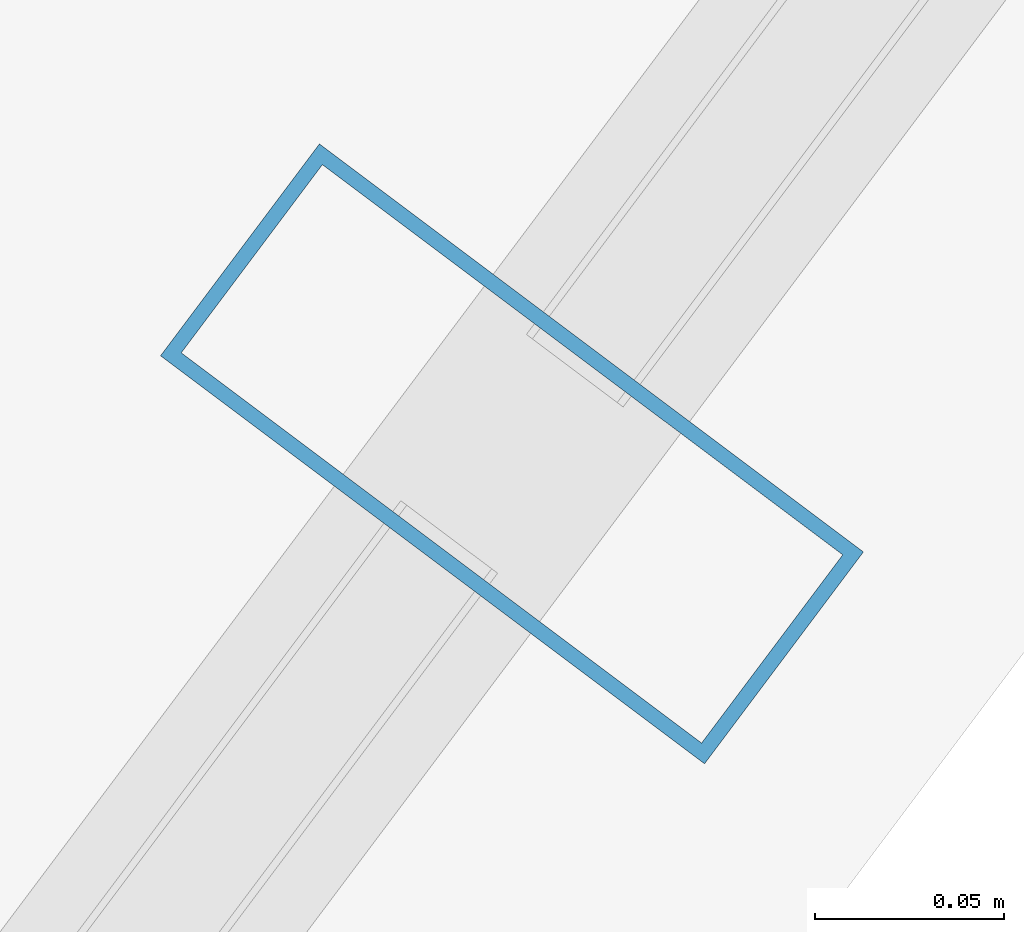
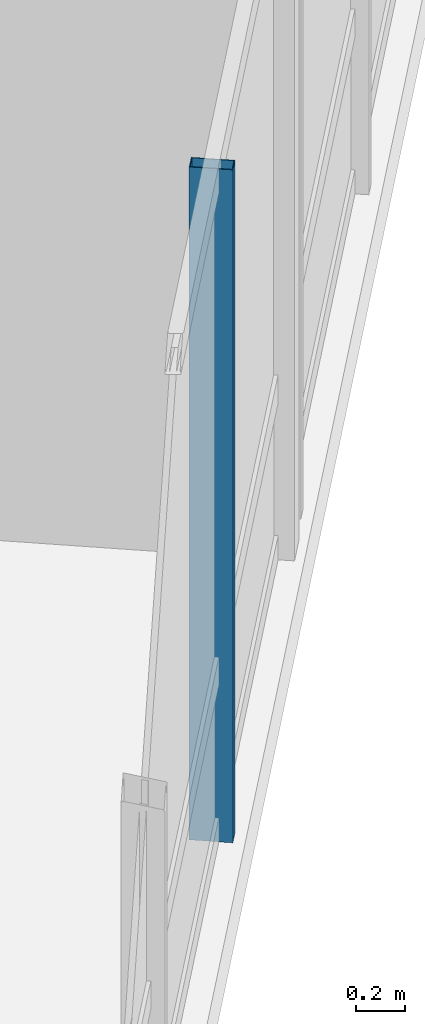
# One storey, part 9 of 21: 1 member, 1 element without a shape of its own.
"""IFC4 building model written with IfcOpenShell, lengths in metres."""

from ifc_helpers import new_model, si_unit, direction, frame, origin, origin_2d, place, context, subcontext, project, spatial, hollow_rectangle, extrude, material, layer, layer_set, material_profile, profile_set, type_object, element, aggregate, save


model = new_model("IFC4")

# Units and contexts
model_context = context("Model", 3, precision=1e-05, world=origin(), true_north=direction((0.0, 1.0)))
body_context = subcontext(model_context, "Body", "Model", "MODEL_VIEW")
ifc_project = project(units=[si_unit("LENGTHUNIT", "METRE"), si_unit("AREAUNIT", "SQUARE_METRE"), si_unit("VOLUMEUNIT", "CUBIC_METRE"), si_unit("PLANEANGLEUNIT", "RADIAN"), si_unit("MASSUNIT", "GRAM", prefix="KILO")], contexts=[model_context])

# Site, building, storey
site_placement = place(None, origin())
site = spatial("IfcSite", under=ifc_project, at=site_placement, CompositionType="ELEMENT")
building_placement = place(site_placement, origin())
building = spatial("IfcBuilding", under=site, at=building_placement, Name="Hatsunagi Terrace Concourse", CompositionType="ELEMENT")
storey_placement = place(building_placement, frame((0.0, 0.0, 246.75)))
storey = spatial("IfcBuildingStorey", under=building, at=storey_placement, Name="L65", CompositionType="ELEMENT", Elevation=246.75)

# Curtain wall, member
ifc_material_1 = material(Name="Anodised Aluminium Alloy 6063-T5", Category="aluminium")
ifc_layer = layer(ifc_material_1, 0.199951171875)
ifc_layer_set = layer_set([ifc_layer], Name="OfficeZone2_CW04")
curtain_wall_type = type_object("IfcCurtainWallType", Name="OfficeZone2_CW04", PredefinedType="NOTDEFINED", material=ifc_layer_set)
curtain_wall_placement = place(storey_placement, origin())
curtain_wall = element("IfcCurtainWall", 1, at=curtain_wall_placement, inside=storey, type_object=curtain_wall_type, Name="Unitised Curtain Wall CW-04 CW-L65-03", PredefinedType="NOTDEFINED")
ifc_material_2 = material(Name="Anodised Aluminium Alloy 6063-T5", Category="aluminium")
ifc_material_profile = material_profile(ifc_material_2, hollow_rectangle(XDim=0.070068359375, YDim=0.179931640625, WallThickness=0.00390625, at=origin_2d()), Name="ALU-MUL-180x70x4")
ifc_profile_set = profile_set([ifc_material_profile], Name="Anodised Aluminium Alloy 6063-T5")
member_type = type_object("IfcMemberType", Name="CurtainWallMullion_180x70", PredefinedType="MULLION", material=ifc_profile_set)
member_placement = place(storey_placement, frame((46.531982421875, 22.075927734375, 0.0), z_axis=(0.0, 0.0, 1.0), x_axis=(-0.599969314634, -0.800023013105, 0.0)))
member = element("IfcMember", 2, at=member_placement, type_object=member_type, Name="Curtain Wall Mullion MUL-02", PredefinedType="MULLION", context=body_context, shape_type="SweptSolid", body=[
    extrude(hollow_rectangle(XDim=0.070068359375, YDim=0.179931640625, WallThickness=0.00390625, at=origin_2d()), origin(), (0.0, 0.0, 1.0), 3.35009765625),
])
aggregate(curtain_wall, [member])

save(model, "model.ifc")
